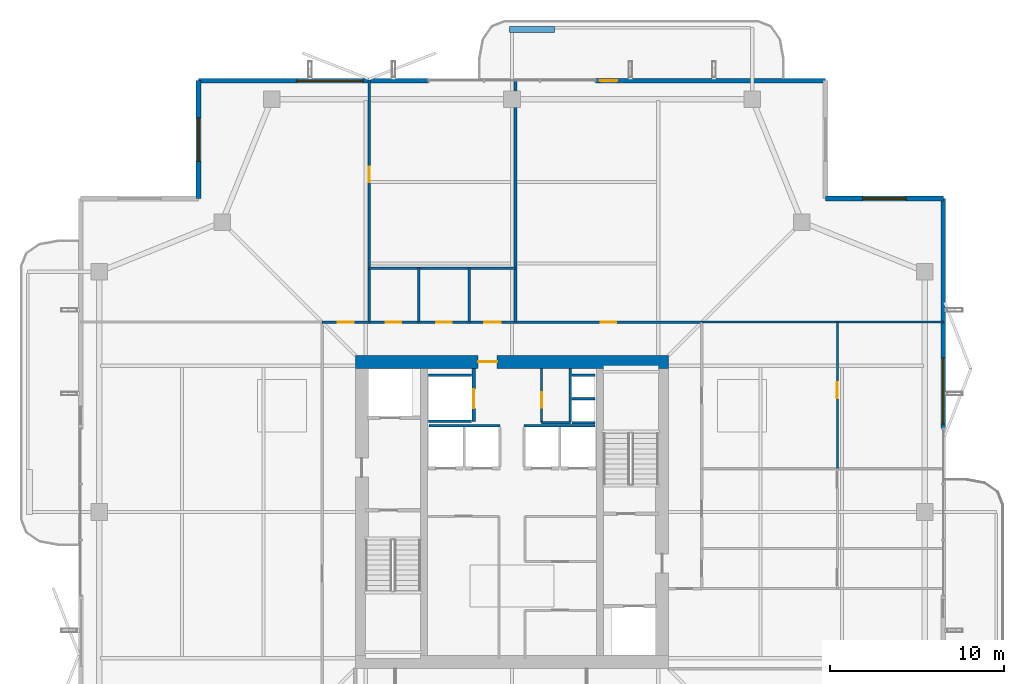
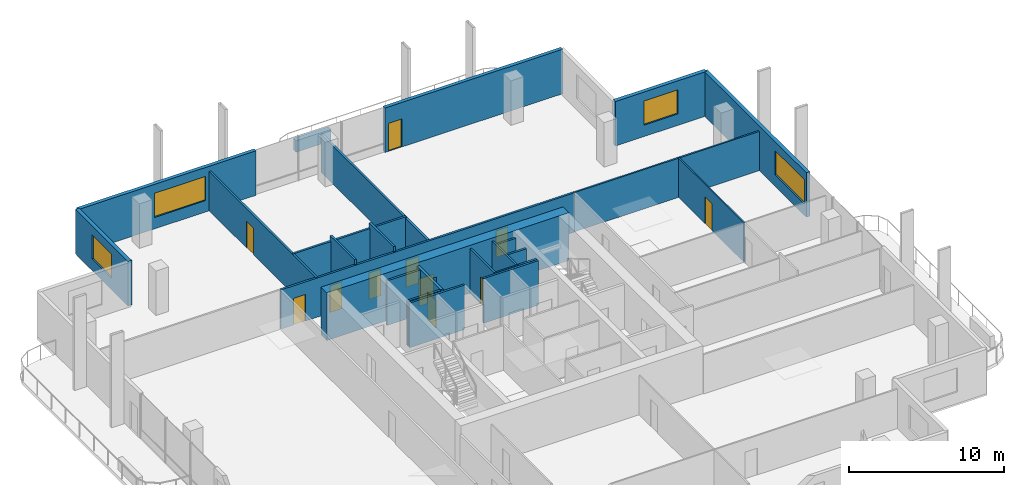
# One storey, part 20 of 25: 26 walls, 11 doors, 4 windows, 15 openings.
"""IFC4 building model written with IfcOpenShell, lengths in metres."""

import ifcopenshell
import ifcopenshell.guid

model = None  # the IFC model being written
_history = None  # IfcOwnerHistory: only IFC2X3 demands one
_inside = {}  # id of a spatial element -> (the spatial element, [elements in it])
_under = {}  # id of a project, library or spatial element -> (it, [spatial elements below it])
_declared = {}  # id of a project -> (the project, [libraries it declares])
_typed = {}  # id of a type object -> (the type object, [elements of that type])
_made_of = {}  # id of a material, layer set ... -> (it, [elements and type objects made of it])


def new_model(schema):
    """Start an empty IFC model of exactly this schema.

    Asked for "IFC4X3", IfcOpenShell would pick the latest addendum, in which some entities
    have other attributes; the version numbers below select the first issue.
    IFC2X3 requires an IfcOwnerHistory on every rooted entity: one is made here for all.
    """
    global model, _history
    if schema == "IFC4X3":
        model = ifcopenshell.file(schema_version=(4, 3, 0, 0))
    else:
        model = ifcopenshell.file(schema=schema)
    _inside.clear()
    _under.clear()
    _declared.clear()
    _typed.clear()
    _made_of.clear()
    _history = None
    if model.schema == "IFC2X3":
        org = make("IfcOrganization", Name="unknown")
        user = make(
            "IfcPersonAndOrganization",
            ThePerson=make("IfcPerson", FamilyName="unknown"),
            TheOrganization=org,
        )
        app = make(
            "IfcApplication",
            ApplicationDeveloper=org,
            Version="unknown",
            ApplicationFullName="unknown",
            ApplicationIdentifier="unknown",
        )
        _history = make(
            "IfcOwnerHistory",
            OwningUser=user,
            OwningApplication=app,
            ChangeAction="ADDED",
            CreationDate=0,
        )
    return model


def make(cls, **values):
    """One entity of the class cls with the attributes given. An attribute that is None is left unset."""
    return model.create_entity(
        cls, **{name: value for name, value in values.items() if value is not None}
    )


def rooted(cls, **values):
    """An entity with a GlobalId (a new one), such as an element, a storey or a relation."""
    return make(cls, GlobalId=ifcopenshell.guid.new(), OwnerHistory=_history, **values)


def si_unit(unit_type, name, prefix=None):
    """IfcSIUnit, for example si_unit("LENGTHUNIT", "METRE", prefix="MILLI")."""
    return make("IfcSIUnit", UnitType=unit_type, Prefix=prefix, Name=name)


def assignment(units):
    """IfcUnitAssignment: the units of a project."""
    return None if units is None else make("IfcUnitAssignment", Units=units)


def point(xyz):
    """IfcCartesianPoint."""
    return None if xyz is None else make("IfcCartesianPoint", Coordinates=xyz)


def direction(xyz):
    """IfcDirection."""
    return None if xyz is None else make("IfcDirection", DirectionRatios=xyz)


def frame(location, z_axis=None, x_axis=None):
    """IfcAxis2Placement3D, a coordinate frame: its origin and axes. An axis left out is left unset."""
    return make(
        "IfcAxis2Placement3D",
        Location=point(location),
        Axis=direction(z_axis),
        RefDirection=direction(x_axis),
    )


def frame_2d(location, x_axis=None):
    """IfcAxis2Placement2D, a coordinate frame in the plane: its origin and x axis."""
    return make(
        "IfcAxis2Placement2D", Location=point(location), RefDirection=direction(x_axis)
    )


def origin():
    """The frame at (0, 0, 0) with its axes left unset."""
    return frame((0.0, 0.0, 0.0))


def place(relative_to, where):
    """IfcLocalPlacement: puts the frame where relative to a parent placement (None: the world)."""
    return make(
        "IfcLocalPlacement", PlacementRelTo=relative_to, RelativePlacement=where
    )


def context(
    kind, dimensions, precision=None, world=None, true_north=None, identifier=None
):
    """IfcGeometricRepresentationContext, for example the 3D "Model" context."""
    return make(
        "IfcGeometricRepresentationContext",
        ContextIdentifier=identifier,
        ContextType=kind,
        CoordinateSpaceDimension=dimensions,
        Precision=precision,
        WorldCoordinateSystem=world,
        TrueNorth=true_north,
    )


def subcontext(parent, identifier, kind, view, scale=None):
    """IfcGeometricRepresentationSubContext, for example "Body" below "Model"."""
    return make(
        "IfcGeometricRepresentationSubContext",
        ContextIdentifier=identifier,
        ContextType=kind,
        ParentContext=parent,
        TargetScale=scale,
        TargetView=view,
    )


def project(units=None, contexts=None):
    """IfcProject with its units and contexts."""
    return rooted(
        "IfcProject",
        Name="project",
        RepresentationContexts=contexts,
        UnitsInContext=assignment(units),
    )


def spatial(cls, under=None, at=None, **own):
    """A site, building, storey or space (cls), placed at a placement, below another one or the project."""
    s = rooted(cls, ObjectPlacement=at, **own)
    if under is not None:
        _under.setdefault(under.id(), (under, []))[1].append(s)
    return s


def profile(cls, at=None, kind="AREA", **sizes):
    """A parametric profile (cls). Its sizes go by their IFC names, for example OverallWidth=200.0."""
    return make(cls, ProfileType=kind, Position=at, **sizes)


def rectangle(**sizes):
    """IfcRectangleProfileDef."""
    return profile("IfcRectangleProfileDef", **sizes)


def extrude(swept, where, along, depth):
    """IfcExtrudedAreaSolid: the profile swept, set in the frame where, extruded along a direction by depth."""
    return make(
        "IfcExtrudedAreaSolid",
        SweptArea=swept,
        Position=where,
        ExtrudedDirection=direction(along),
        Depth=depth,
    )


def shape(context_of_items, identifier, shape_type, items):
    """IfcShapeRepresentation: the items that make up one representation, for example the "Body"."""
    return make(
        "IfcShapeRepresentation",
        ContextOfItems=context_of_items,
        RepresentationIdentifier=identifier,
        RepresentationType=shape_type,
        Items=items,
    )


def material(Name=None, Category=None):
    """IfcMaterial."""
    return make("IfcMaterial", Name=Name, Category=Category)


def layer(
    of_material, thickness, ventilated=None, Name=None, Category=None, Priority=None
):
    """IfcMaterialLayer: one layer of a wall or slab, of a material (None: an air gap)."""
    return make(
        "IfcMaterialLayer",
        Material=of_material,
        LayerThickness=thickness,
        IsVentilated=ventilated,
        Name=Name,
        Category=Category,
        Priority=Priority,
    )


def layer_set(layers, Name=None):
    """IfcMaterialLayerSet."""
    return make("IfcMaterialLayerSet", MaterialLayers=layers, LayerSetName=Name)


def made_of(thing, what):
    """Note that an element or type object is made of a material, layer set ...; save() writes the relation."""
    if what is not None:
        _made_of.setdefault(what.id(), (what, []))[1].append(thing)
    return thing


def type_object(cls, material=None, **own):
    """A type object (cls), such as IfcWallType, which elements share."""
    return made_of(rooted(cls, **own), material)


def element(
    cls,
    number,
    at=None,
    inside=None,
    cuts=None,
    type_object=None,
    material=None,
    context=None,
    identifier="Body",
    shape_type=None,
    held_by="IfcProductDefinitionShape",
    body=None,
    shapes=None,
    **own,
):
    """One element of the class cls, such as IfcWall. Its Tag is "e" and its number.

    at: its placement. inside: the storey or other place that contains it. cuts: it is an
    opening in that element (IfcRelVoidsElement). A single representation is given by context,
    identifier, shape_type and body (its items); several are given by shapes. held_by: the class
    of the entity that holds the representations. save() writes the other relations.
    """
    e = rooted(cls, Tag="e%d" % number, ObjectPlacement=at, **own)
    if body is not None:
        shapes = [shape(context, identifier, shape_type, body)]
    if shapes is not None:
        e.Representation = make(held_by, Representations=shapes)
    if inside is not None:
        _inside.setdefault(inside.id(), (inside, []))[1].append(e)
    if cuts is not None:
        rooted(
            "IfcRelVoidsElement", RelatingBuildingElement=cuts, RelatedOpeningElement=e
        )
    if type_object is not None:
        _typed.setdefault(type_object.id(), (type_object, []))[1].append(e)
    return made_of(e, material)


def fill(opening, filler):
    """IfcRelFillsElement: the door or window that sits in an opening."""
    return rooted(
        "IfcRelFillsElement",
        RelatingOpeningElement=opening,
        RelatedBuildingElement=filler,
    )


def aggregate(whole, parts):
    """IfcRelAggregates: a whole, such as a stair, and the parts it consists of."""
    return rooted("IfcRelAggregates", RelatingObject=whole, RelatedObjects=parts)


def save(model, path):
    """Write the relations noted so far, then the file.

    IfcRelAggregates (storeys below a building ...), IfcRelContainedInSpatialStructure (elements
    in a storey), IfcRelDefinesByType, IfcRelAssociatesMaterial and IfcRelDeclares: one each for
    every whole, place, type object, material and project.
    """
    for whole, parts in _under.values():
        aggregate(whole, parts)
    for where, things in _inside.values():
        rooted(
            "IfcRelContainedInSpatialStructure",
            RelatedElements=things,
            RelatingStructure=where,
        )
    for kind, things in _typed.values():
        rooted("IfcRelDefinesByType", RelatedObjects=things, RelatingType=kind)
    for what, things in _made_of.values():
        rooted("IfcRelAssociatesMaterial", RelatedObjects=things, RelatingMaterial=what)
    for by, libraries in _declared.values():
        rooted("IfcRelDeclares", RelatingContext=by, RelatedDefinitions=libraries)
    model.write(path)


model = new_model("IFC4")

# Units and contexts
model_context = context("Model", 3, precision=1e-05, world=origin(), true_north=direction((0.0, 1.0)))
body_context = subcontext(model_context, "Body", "Model", "MODEL_VIEW")
ifc_project = project(units=[si_unit("LENGTHUNIT", "METRE"), si_unit("AREAUNIT", "SQUARE_METRE"), si_unit("VOLUMEUNIT", "CUBIC_METRE"), si_unit("PLANEANGLEUNIT", "RADIAN"), si_unit("MASSUNIT", "GRAM", prefix="KILO")], contexts=[model_context])

# Site, building, storey
site_placement = place(None, origin())
site = spatial("IfcSite", under=ifc_project, at=site_placement, CompositionType="ELEMENT")
building_placement = place(site_placement, origin())
building = spatial("IfcBuilding", under=site, at=building_placement, Name="Belovzor Exchange Tower", CompositionType="ELEMENT")
storey_placement = place(building_placement, frame((0.0, 0.0, 265.35009765625)))
storey = spatial("IfcBuildingStorey", under=building, at=storey_placement, Name="L66", CompositionType="ELEMENT", Elevation=265.35009765625)

# Wall
ifc_material_1 = material(Name="Acoustic Plasterboard on Galvanised Studs", Category="gypsum")
ifc_layer_1 = layer(ifc_material_1, 0.1201171875)
ifc_layer_set_1 = layer_set([ifc_layer_1], Name="Acoustic Plasterboard on Galvanised Studs")
wall_type_1 = type_object("IfcWallType", Name="Acoustic Double-Stud Partition Wall 120", PredefinedType="PARTITIONING", material=ifc_layer_set_1)
wall_1_placement = place(storey_placement, frame((39.699951171875, 39.699951171875, 0.0), z_axis=(0.0, 0.0, 1.0), x_axis=(1.0, 0.0, 0.0)))
element("IfcWall", 1, at=wall_1_placement, inside=storey, type_object=wall_type_1, Name="W-P120 Partition Wall W-L66-END-NE", PredefinedType="PARTITIONING", context=body_context, shape_type="SweptSolid", body=[
    extrude(rectangle(XDim=13.8701171875, YDim=0.1201171875, at=frame_2d((6.93505859375, 0.0))), origin(), (0.0, 0.0, 1.0), 3.0849609375),
])

# Wall, opening, door
ifc_material_2 = material(Name="Acoustic Laminated Glass and Aluminium", Category="aluminium")
ifc_layer_2 = layer(ifc_material_2, 0.10009765625)
ifc_layer_set_2 = layer_set([ifc_layer_2], Name="Acoustic Laminated Glass and Aluminium")
wall_type_2 = type_object("IfcWallType", Name="Demountable Executive Glass Partition 100", PredefinedType="MOVABLE", material=ifc_layer_set_2)
wall_2_placement = place(storey_placement, frame((47.485107421875, 31.281982421875, 0.0), z_axis=(0.0, 0.0, 1.0), x_axis=(0.0, 1.0, 0.0)))
wall_2 = element("IfcWall", 2, at=wall_2_placement, inside=storey, type_object=wall_type_2, Name="W-M100 Partition Wall W-L66-EHDIV-2", PredefinedType="MOVABLE", context=body_context, shape_type="SweptSolid", body=[
    extrude(rectangle(XDim=8.41796875, YDim=0.10009765625, at=frame_2d((4.208984375, 0.0))), origin(), (0.0, 0.0, 1.0), 3.0849609375),
])
opening_1_placement = place(wall_2_placement, frame((4.055908203125, 0.0, 0.0)))
opening_1 = element("IfcOpeningElement", 3, at=opening_1_placement, cuts=wall_2, Name="Opening D-INT-090", PredefinedType="OPENING", context=body_context, shape_type="SweptSolid", body=[
    extrude(rectangle(XDim=0.89990234375, YDim=2.10009765625, at=frame_2d((0.449951171875, 1.050048828125))), frame((0.0, 0.06005859375, 0.0), z_axis=(0.0, -1.0, 0.0), x_axis=(1.0, 0.0, 0.0)), (0.0, 0.0, 1.0), 0.1201171875),
])
ifc_material_3 = material(Name="Veneered Hardwood Acoustic Leaf", Category="wood")
door_type_1 = type_object("IfcDoorType", Name="Trading Suite Acoustic Single Door 900x2100", OperationType="NOTDEFINED", PredefinedType="DOOR", material=ifc_material_3)
door_1_placement = place(opening_1_placement, origin())
door_1 = element("IfcDoor", 4, at=door_1_placement, inside=storey, type_object=door_type_1, Name="D-INT-090 Trading Suite Acoustic Single Door 900x2100", OperationType="SINGLE_SWING_RIGHT", OverallHeight=2.10009765625, OverallWidth=0.89990234375, PredefinedType="DOOR", context=body_context, shape_type="SweptSolid", body=[
    extrude(rectangle(XDim=0.89990234375, YDim=2.10009765625, at=frame_2d((0.449951171875, 1.050048828125))), frame((0.0, 0.02490234375, 0.0), z_axis=(0.0, -1.0, 0.0), x_axis=(1.0, 0.0, 0.0)), (0.0, 0.0, 1.0), 0.050048828125),
])
fill(opening_1, door_1)

ifc_material_4 = material(Name="Fire-Rated Plasterboard on Galvanised Studs", Category="gypsum")
ifc_layer_3 = layer(ifc_material_4, 0.1201171875)
ifc_layer_set_3 = layer_set([ifc_layer_3], Name="Fire-Rated Plasterboard on Galvanised Studs")
wall_type_3 = type_object("IfcWallType", Name="Fire-Rated Double-Stud Partition Wall 120", PredefinedType="PARTITIONING", material=ifc_layer_set_3)
wall_3_placement = place(storey_placement, frame((30.5, 33.925048828125, 0.0), z_axis=(0.0, 0.0, 1.0), x_axis=(0.0, 1.0, 0.0)))
wall_3 = element("IfcWall", 5, at=wall_3_placement, inside=storey, type_object=wall_type_3, Name="W-P120F Partition Wall W-CRV-L66-W", PredefinedType="PARTITIONING", context=body_context, shape_type="SweptSolid", body=[
    extrude(rectangle(XDim=3.125, YDim=0.1201171875, at=frame_2d((1.5625, 0.0))), origin(), (0.0, 0.0, 1.0), 3.5),
])
opening_2_placement = place(wall_3_placement, frame((0.85009765625, 0.0, 0.0)))
opening_2 = element("IfcOpeningElement", 6, at=opening_2_placement, cuts=wall_3, Name="Opening D-FD60-090", PredefinedType="OPENING", context=body_context, shape_type="SweptSolid", body=[
    extrude(rectangle(XDim=0.89990234375, YDim=2.10009765625, at=frame_2d((0.449951171875, 1.050048828125))), frame((0.0, 0.070068359375, 0.0), z_axis=(0.0, -1.0, 0.0), x_axis=(1.0, 0.0, 0.0)), (0.0, 0.0, 1.0), 0.14013671875),
])
ifc_material_5 = material(Name="Acoustic Timber Fire Leaf", Category="wood")
door_type_2 = type_object("IfcDoorType", Name="Core Service & Restroom Fire Door 900x2100", OperationType="NOTDEFINED", PredefinedType="DOOR", material=ifc_material_5)
door_2_placement = place(opening_2_placement, origin())
door_2 = element("IfcDoor", 7, at=door_2_placement, inside=storey, type_object=door_type_2, Name="D-FD60-090 Core Service & Restroom Fire Door 900x2100", OperationType="SINGLE_SWING_LEFT", OverallHeight=2.10009765625, OverallWidth=0.89990234375, PredefinedType="DOOR", context=body_context, shape_type="SweptSolid", body=[
    extrude(rectangle(XDim=0.89990234375, YDim=2.10009765625, at=frame_2d((0.449951171875, 1.050048828125))), frame((0.0, 0.02490234375, 0.0), z_axis=(0.0, -1.0, 0.0), x_axis=(1.0, 0.0, 0.0)), (0.0, 0.0, 1.0), 0.050048828125),
])
fill(opening_2, door_2)

# Walls
wall_4_placement = place(storey_placement, frame((30.5, 33.925048828125, 0.0), z_axis=(0.0, 0.0, 1.0), x_axis=(1.0, 0.0, 0.0)))
element("IfcWall", 8, at=wall_4_placement, inside=storey, type_object=wall_type_3, Name="W-P120F Partition Wall W-CRV-L66-S", PredefinedType="PARTITIONING", context=body_context, shape_type="SweptSolid", body=[
    extrude(rectangle(XDim=1.64990234375, YDim=0.1201171875, at=frame_2d((0.824951171875, 0.0))), origin(), (0.0, 0.0, 1.0), 3.5),
])
ifc_material_6 = material(Name="Fire-Rated Gypsum Block and Mineral Wool", Category="gypsum")
ifc_layer_4 = layer(ifc_material_6, 0.14990234375)
ifc_layer_set_4 = layer_set([ifc_layer_4], Name="Fire-Rated Gypsum Block and Mineral Wool")
wall_type_4 = type_object("IfcWallType", Name="Fire-Rated Gypsum Block Corridor Wall 150", PredefinedType="PARTITIONING", material=ifc_layer_set_4)
wall_5_placement = place(storey_placement, frame((20.60009765625, 42.800048828125, 0.0), z_axis=(0.0, 0.0, 1.0), x_axis=(1.0, 0.0, 0.0)))
element("IfcWall", 9, at=wall_5_placement, inside=storey, type_object=wall_type_4, Name="W-P150 Partition Wall W-L66-WCN", PredefinedType="PARTITIONING", context=body_context, shape_type="SweptSolid", body=[
    extrude(rectangle(XDim=8.39990234375, YDim=0.14990234375, at=frame_2d((4.199951171875, 0.0))), origin(), (0.0, 0.0, 1.0), 3.0849609375),
])

# Wall, opening, door
wall_6_placement = place(storey_placement, frame((20.60009765625, 39.699951171875, 0.0), z_axis=(0.0, 0.0, 1.0), x_axis=(0.0, 1.0, 0.0)))
wall_6 = element("IfcWall", 10, at=wall_6_placement, inside=storey, type_object=wall_type_4, Name="W-P150 Partition Wall W-L66-WCW", PredefinedType="PARTITIONING", context=body_context, shape_type="SweptSolid", body=[
    extrude(rectangle(XDim=13.8701171875, YDim=0.14990234375, at=frame_2d((6.93505859375, 0.0))), origin(), (0.0, 0.0, 1.0), 3.0849609375),
])
opening_3_placement = place(wall_6_placement, frame((8.034912109375, 0.0, 0.0)))
opening_3 = element("IfcOpeningElement", 11, at=opening_3_placement, cuts=wall_6, Name="Opening D-INT-090", PredefinedType="OPENING", context=body_context, shape_type="SweptSolid", body=[
    extrude(rectangle(XDim=0.89990234375, YDim=2.10009765625, at=frame_2d((0.449951171875, 1.050048828125))), frame((0.0, 0.0849609375, 0.0), z_axis=(0.0, -1.0, 0.0), x_axis=(1.0, 0.0, 0.0)), (0.0, 0.0, 1.0), 0.169921875),
])
door_3_placement = place(opening_3_placement, origin())
door_3 = element("IfcDoor", 12, at=door_3_placement, inside=storey, type_object=door_type_1, Name="D-INT-090 Trading Suite Acoustic Single Door 900x2100", OperationType="SINGLE_SWING_LEFT", OverallHeight=2.10009765625, OverallWidth=0.89990234375, PredefinedType="DOOR", context=body_context, shape_type="SweptSolid", body=[
    extrude(rectangle(XDim=0.89990234375, YDim=2.10009765625, at=frame_2d((0.449951171875, 1.050048828125))), frame((0.0, 0.02490234375, 0.0), z_axis=(0.0, -1.0, 0.0), x_axis=(1.0, 0.0, 0.0)), (0.0, 0.0, 1.0), 0.050048828125),
])
fill(opening_3, door_3)

# Walls
wall_7_placement = place(storey_placement, frame((29.0, 39.699951171875, 0.0), z_axis=(0.0, 0.0, 1.0), x_axis=(0.0, 1.0, 0.0)))
element("IfcWall", 13, at=wall_7_placement, inside=storey, type_object=wall_type_4, Name="W-P150 Partition Wall W-L66-WCE", PredefinedType="PARTITIONING", context=body_context, shape_type="SweptSolid", body=[
    extrude(rectangle(XDim=13.8701171875, YDim=0.14990234375, at=frame_2d((6.93505859375, 0.0))), origin(), (0.0, 0.0, 1.0), 2.98486328125),
])
for number, where, z_axis, x_axis, name in (
    (14, (23.449951171875, 39.699951171875, 0.0), (0.0, 0.0, 1.0), (0.0, 1.0, 0.0), "W-P150 Partition Wall W-L66-WCD1"),
    (15, (26.35009765625, 39.699951171875, 0.0), (0.0, 0.0, 1.0), (0.0, 1.0, 0.0), "W-P150 Partition Wall W-L66-WCD2"),
):
    element("IfcWall", number, at=place(storey_placement, frame(where, z_axis=z_axis, x_axis=x_axis)), inside=storey, type_object=wall_type_4, Name=name, PredefinedType="PARTITIONING", context=body_context, shape_type="SweptSolid", body=[
        extrude(rectangle(XDim=3.10009765625, YDim=0.14990234375, at=frame_2d((1.550048828125, 0.0))), origin(), (0.0, 0.0, 1.0), 3.5),
    ])

# Wall, openings, doors
wall_8_placement = place(storey_placement, frame((17.89990234375, 39.699951171875, 0.0), z_axis=(0.0, 0.0, 1.0), x_axis=(1.0, 0.0, 0.0)))
wall_8 = element("IfcWall", 16, at=wall_8_placement, inside=storey, type_object=wall_type_4, Name="W-P150 Partition Wall W-L66-CN", PredefinedType="PARTITIONING", context=body_context, shape_type="SweptSolid", body=[
    extrude(rectangle(XDim=21.800048828125, YDim=0.14990234375, at=frame_2d((10.89990234375, 0.0))), origin(), (0.0, 0.0, 1.0), 3.0849609375),
])
opening_4_placement = place(wall_8_placement, frame((0.89990234375, 0.0, 0.0)))
opening_4 = element("IfcOpeningElement", 17, at=opening_4_placement, cuts=wall_8, Name="Opening D-INT-090", PredefinedType="OPENING", context=body_context, shape_type="SweptSolid", body=[
    extrude(rectangle(XDim=0.89990234375, YDim=2.10009765625, at=frame_2d((0.449951171875, 1.050048828125))), frame((0.0, 0.0849609375, 0.0), z_axis=(0.0, -1.0, 0.0), x_axis=(1.0, 0.0, 0.0)), (0.0, 0.0, 1.0), 0.169921875),
])
opening_5_placement = place(wall_8_placement, frame((3.64990234375, 0.0, 0.0)))
opening_5 = element("IfcOpeningElement", 18, at=opening_5_placement, cuts=wall_8, Name="Opening D-FD60-090", PredefinedType="OPENING", context=body_context, shape_type="SweptSolid", body=[
    extrude(rectangle(XDim=0.89990234375, YDim=2.10009765625, at=frame_2d((0.449951171875, 1.050048828125))), frame((0.0, 0.0849609375, 0.0), z_axis=(0.0, -1.0, 0.0), x_axis=(1.0, 0.0, 0.0)), (0.0, 0.0, 1.0), 0.169921875),
])
opening_6_placement = place(wall_8_placement, frame((6.550048828125, 0.0, 0.0)))
opening_6 = element("IfcOpeningElement", 19, at=opening_6_placement, cuts=wall_8, Name="Opening D-FD60-090", PredefinedType="OPENING", context=body_context, shape_type="SweptSolid", body=[
    extrude(rectangle(XDim=0.89990234375, YDim=2.10009765625, at=frame_2d((0.449951171875, 1.050048828125))), frame((0.0, 0.0849609375, 0.0), z_axis=(0.0, -1.0, 0.0), x_axis=(1.0, 0.0, 0.0)), (0.0, 0.0, 1.0), 0.169921875),
])
opening_7_placement = place(wall_8_placement, frame((9.300048828125, 0.0, 0.0)))
opening_7 = element("IfcOpeningElement", 20, at=opening_7_placement, cuts=wall_8, Name="Opening D-FD60-095", PredefinedType="OPENING", context=body_context, shape_type="SweptSolid", body=[
    extrude(rectangle(XDim=0.949951171875, YDim=2.10009765625, at=frame_2d((0.47509765625, 1.050048828125))), frame((0.0, 0.0849609375, 0.0), z_axis=(0.0, -1.0, 0.0), x_axis=(1.0, 0.0, 0.0)), (0.0, 0.0, 1.0), 0.169921875),
])
opening_8_placement = place(wall_8_placement, frame((16.0, 0.0, 0.0)))
opening_8 = element("IfcOpeningElement", 21, at=opening_8_placement, cuts=wall_8, Name="Opening D-INT-090", PredefinedType="OPENING", context=body_context, shape_type="SweptSolid", body=[
    extrude(rectangle(XDim=0.89990234375, YDim=2.10009765625, at=frame_2d((0.449951171875, 1.050048828125))), frame((0.0, 0.0849609375, 0.0), z_axis=(0.0, -1.0, 0.0), x_axis=(1.0, 0.0, 0.0)), (0.0, 0.0, 1.0), 0.169921875),
])
ifc_material_7 = material(Name="Moisture-Resistant Timber Fire Leaf", Category="wood")
door_type_3 = type_object("IfcDoorType", Name="Accessible Restroom Wide Fire Door 950x2100", OperationType="NOTDEFINED", PredefinedType="DOOR", material=ifc_material_7)
door_4_placement = place(opening_7_placement, origin())
door_4 = element("IfcDoor", 22, at=door_4_placement, inside=storey, type_object=door_type_3, Name="D-FD60-095 Accessible Restroom Wide Fire Door 950x2100", OperationType="SINGLE_SWING_LEFT", OverallHeight=2.10009765625, OverallWidth=0.949951171875, PredefinedType="DOOR", context=body_context, shape_type="SweptSolid", body=[
    extrude(rectangle(XDim=0.949951171875, YDim=2.10009765625, at=frame_2d((0.47509765625, 1.050048828125))), frame((0.0, 0.02490234375, 0.0), z_axis=(0.0, -1.0, 0.0), x_axis=(1.0, 0.0, 0.0)), (0.0, 0.0, 1.0), 0.050048828125),
])
fill(opening_7, door_4)
door_5_placement = place(opening_5_placement, origin())
door_5 = element("IfcDoor", 23, at=door_5_placement, inside=storey, type_object=door_type_2, Name="D-FD60-090 Core Service & Restroom Fire Door 900x2100", OperationType="SINGLE_SWING_LEFT", OverallHeight=2.10009765625, OverallWidth=0.89990234375, PredefinedType="DOOR", context=body_context, shape_type="SweptSolid", body=[
    extrude(rectangle(XDim=0.89990234375, YDim=2.10009765625, at=frame_2d((0.449951171875, 1.050048828125))), frame((0.0, 0.02490234375, 0.0), z_axis=(0.0, -1.0, 0.0), x_axis=(1.0, 0.0, 0.0)), (0.0, 0.0, 1.0), 0.050048828125),
])
fill(opening_5, door_5)
door_6_placement = place(opening_6_placement, origin())
door_6 = element("IfcDoor", 24, at=door_6_placement, inside=storey, type_object=door_type_2, Name="D-FD60-090 Core Service & Restroom Fire Door 900x2100", OperationType="SINGLE_SWING_RIGHT", OverallHeight=2.10009765625, OverallWidth=0.89990234375, PredefinedType="DOOR", context=body_context, shape_type="SweptSolid", body=[
    extrude(rectangle(XDim=0.89990234375, YDim=2.10009765625, at=frame_2d((0.449951171875, 1.050048828125))), frame((0.0, 0.02490234375, 0.0), z_axis=(0.0, -1.0, 0.0), x_axis=(1.0, 0.0, 0.0)), (0.0, 0.0, 1.0), 0.050048828125),
])
fill(opening_6, door_6)
door_7_placement = place(opening_4_placement, origin())
door_7 = element("IfcDoor", 25, at=door_7_placement, inside=storey, type_object=door_type_1, Name="D-INT-090 Trading Suite Acoustic Single Door 900x2100", OperationType="SINGLE_SWING_LEFT", OverallHeight=2.10009765625, OverallWidth=0.89990234375, PredefinedType="DOOR", context=body_context, shape_type="SweptSolid", body=[
    extrude(rectangle(XDim=0.89990234375, YDim=2.10009765625, at=frame_2d((0.449951171875, 1.050048828125))), frame((0.0, 0.02490234375, 0.0), z_axis=(0.0, -1.0, 0.0), x_axis=(1.0, 0.0, 0.0)), (0.0, 0.0, 1.0), 0.050048828125),
])
fill(opening_4, door_7)
door_8_placement = place(opening_8_placement, origin())
door_8 = element("IfcDoor", 26, at=door_8_placement, inside=storey, type_object=door_type_1, Name="D-INT-090 Trading Suite Acoustic Single Door 900x2100", OperationType="SINGLE_SWING_RIGHT", OverallHeight=2.10009765625, OverallWidth=0.89990234375, PredefinedType="DOOR", context=body_context, shape_type="SweptSolid", body=[
    extrude(rectangle(XDim=0.89990234375, YDim=2.10009765625, at=frame_2d((0.449951171875, 1.050048828125))), frame((0.0, 0.02490234375, 0.0), z_axis=(0.0, -1.0, 0.0), x_axis=(1.0, 0.0, 0.0)), (0.0, 0.0, 1.0), 0.050048828125),
])
fill(opening_8, door_8)

# Wall, opening, window
ifc_material_8 = material(Name="Precast concrete C40/50", Category="concrete")
ifc_layer_5 = layer(ifc_material_8, 0.280029296875)
ifc_layer_set_5 = layer_set([ifc_layer_5], Name="Precast concrete C40/50")
wall_type_5 = type_object("IfcWallType", Name="Precast Concrete Notched Corner Frame Wall 280", PredefinedType="SOLIDWALL", material=ifc_layer_set_5)
wall_9_placement = place(storey_placement, frame((10.800048828125, 46.800048828125, 0.0), z_axis=(0.0, 0.0, 1.0), x_axis=(0.0, 1.0, 0.0)))
wall_9 = element("IfcWall", 27, at=wall_9_placement, inside=storey, type_object=wall_type_5, Name="W-CRN280 Precast Concrete Notched Corner Frame Wall 280 L66", PredefinedType="SOLIDWALL", context=body_context, shape_type="SweptSolid", body=[
    extrude(rectangle(XDim=6.77001953125, YDim=0.280029296875, at=frame_2d((3.385009765625, 0.0))), origin(), (0.0, 0.0, 1.0), 3.5),
])
opening_9_placement = place(wall_9_placement, frame((2.135009765625, 0.0, 0.89990234375)))
opening_9 = element("IfcOpeningElement", 28, at=opening_9_placement, cuts=wall_9, Name="Opening WN-CRN250", PredefinedType="OPENING", context=body_context, shape_type="SweptSolid", body=[
    extrude(rectangle(XDim=2.5, YDim=1.89990234375, at=frame_2d((1.25, 0.949951171875))), frame((0.0, 0.14990234375, 0.0), z_axis=(0.0, -1.0, 0.0), x_axis=(1.0, 0.0, 0.0)), (0.0, 0.0, 1.0), 0.300048828125),
])
ifc_material_9 = material(Name="Thermally Broken Aluminium and Triple Glazing", Category="aluminium")
window_type_1 = type_object("IfcWindowType", Name="Streamline Moderne Corner Wrap Ribbon Window 2500x1900", PartitioningType="SINGLE_PANEL", PredefinedType="WINDOW", material=ifc_material_9)
window_1_placement = place(opening_9_placement, origin())
window_1 = element("IfcWindow", 29, at=window_1_placement, inside=storey, type_object=window_type_1, Name="WN-CRN250 Streamline Moderne Corner Wrap Ribbon Window 2500x1900", OverallHeight=1.89990234375, OverallWidth=2.5, PartitioningType="SINGLE_PANEL", PredefinedType="WINDOW", context=body_context, shape_type="SweptSolid", body=[
    extrude(rectangle(XDim=2.5, YDim=1.89990234375, at=frame_2d((1.25, 0.949951171875))), frame((0.0, 0.030029296875, 0.0), z_axis=(0.0, -1.0, 0.0), x_axis=(1.0, 0.0, 0.0)), (0.0, 0.0, 1.0), 0.06005859375),
])
fill(opening_9, window_1)

wall_10_placement = place(storey_placement, frame((46.800048828125, 46.800048828125, 0.0), z_axis=(0.0, 0.0, 1.0), x_axis=(1.0, 0.0, 0.0)))
wall_10 = element("IfcWall", 30, at=wall_10_placement, inside=storey, type_object=wall_type_5, Name="W-CRN280 Precast Concrete Notched Corner Frame Wall 280 L66", PredefinedType="SOLIDWALL", context=body_context, shape_type="SweptSolid", body=[
    extrude(rectangle(XDim=6.77001953125, YDim=0.280029296875, at=frame_2d((3.385009765625, 0.0))), origin(), (0.0, 0.0, 1.0), 3.5),
])
opening_10_placement = place(wall_10_placement, frame((2.135009765625, 0.0, 0.89990234375)))
opening_10 = element("IfcOpeningElement", 31, at=opening_10_placement, cuts=wall_10, Name="Opening WN-CRN250", PredefinedType="OPENING", context=body_context, shape_type="SweptSolid", body=[
    extrude(rectangle(XDim=2.5, YDim=1.89990234375, at=frame_2d((1.25, 0.949951171875))), frame((0.0, 0.14990234375, 0.0), z_axis=(0.0, -1.0, 0.0), x_axis=(1.0, 0.0, 0.0)), (0.0, 0.0, 1.0), 0.300048828125),
])
window_2_placement = place(opening_10_placement, origin())
window_2 = element("IfcWindow", 32, at=window_2_placement, inside=storey, type_object=window_type_1, Name="WN-CRN250 Streamline Moderne Corner Wrap Ribbon Window 2500x1900", OverallHeight=1.89990234375, OverallWidth=2.5, PartitioningType="SINGLE_PANEL", PredefinedType="WINDOW", context=body_context, shape_type="SweptSolid", body=[
    extrude(rectangle(XDim=2.5, YDim=1.89990234375, at=frame_2d((1.25, 0.949951171875))), frame((0.0, 0.030029296875, 0.0), z_axis=(0.0, -1.0, 0.0), x_axis=(1.0, 0.0, 0.0)), (0.0, 0.0, 1.0), 0.06005859375),
])
fill(opening_10, window_2)

ifc_material_10 = material(Name="Precast concrete C40/50", Category="concrete")
ifc_layer_6 = layer(ifc_material_10, 0.260009765625)
ifc_layer_set_6 = layer_set([ifc_layer_6], Name="Precast concrete C40/50")
wall_type_6 = type_object("IfcWallType", Name="Precast Concrete Perimeter Loggia Frame Wall 260", PredefinedType="SOLIDWALL", material=ifc_layer_set_6)
wall_11_placement = place(storey_placement, frame((10.800048828125, 53.570068359375, 0.0), z_axis=(0.0, 0.0, 1.0), x_axis=(1.0, 0.0, 0.0)))
wall_11 = element("IfcWall", 33, at=wall_11_placement, inside=storey, type_object=wall_type_6, Name="W-EXT260 Precast Concrete Perimeter Loggia Frame Wall 260 L66", PredefinedType="SOLIDWALL", context=body_context, shape_type="SweptSolid", body=[
    extrude(rectangle(XDim=13.199951171875, YDim=0.260009765625, at=frame_2d((6.60009765625, 0.0))), origin(), (0.0, 0.0, 1.0), 3.5),
])
opening_11_placement = place(wall_11_placement, frame((5.654052734375, 0.0, 0.89990234375)))
opening_11 = element("IfcOpeningElement", 34, at=opening_11_placement, cuts=wall_11, Name="Opening WN-RIB380", PredefinedType="OPENING", context=body_context, shape_type="SweptSolid", body=[
    extrude(rectangle(XDim=3.800048828125, YDim=1.89990234375, at=frame_2d((1.89990234375, 0.949951171875))), frame((0.0, 0.139892578125, 0.0), z_axis=(0.0, -1.0, 0.0), x_axis=(1.0, 0.0, 0.0)), (0.0, 0.0, 1.0), 0.280029296875),
])
ifc_material_11 = material(Name="Thermally Broken Aluminium and Triple Glazing", Category="aluminium")
window_type_2 = type_object("IfcWindowType", Name="Streamline Moderne Horizontal Ribbon Window 3800x1900", PartitioningType="SINGLE_PANEL", PredefinedType="WINDOW", material=ifc_material_11)
window_3_placement = place(opening_11_placement, origin())
window_3 = element("IfcWindow", 35, at=window_3_placement, inside=storey, type_object=window_type_2, Name="WN-RIB380 Streamline Moderne Horizontal Ribbon Window 3800x1900", OverallHeight=1.89990234375, OverallWidth=3.800048828125, PartitioningType="SINGLE_PANEL", PredefinedType="WINDOW", context=body_context, shape_type="SweptSolid", body=[
    extrude(rectangle(XDim=3.800048828125, YDim=1.89990234375, at=frame_2d((1.89990234375, 0.949951171875))), frame((0.0, 0.030029296875, 0.0), z_axis=(0.0, -1.0, 0.0), x_axis=(1.0, 0.0, 0.0)), (0.0, 0.0, 1.0), 0.06005859375),
])
fill(opening_11, window_3)

# Wall, opening, door
wall_12_placement = place(storey_placement, frame((33.60009765625, 53.570068359375, 0.0), z_axis=(0.0, 0.0, 1.0), x_axis=(1.0, 0.0, 0.0)))
wall_12 = element("IfcWall", 36, at=wall_12_placement, inside=storey, type_object=wall_type_6, Name="W-EXT260 Precast Concrete Perimeter Loggia Frame Wall 260 L66", PredefinedType="SOLIDWALL", context=body_context, shape_type="SweptSolid", body=[
    extrude(rectangle(XDim=13.199951171875, YDim=0.260009765625, at=frame_2d((6.60009765625, 0.0))), origin(), (0.0, 0.0, 1.0), 3.5),
])
opening_12_placement = place(wall_12_placement, frame((0.25, 0.0, 0.0)))
opening_12 = element("IfcOpeningElement", 37, at=opening_12_placement, cuts=wall_12, Name="Opening D-BAL100", PredefinedType="OPENING", context=body_context, shape_type="SweptSolid", body=[
    extrude(rectangle(XDim=1.0, YDim=2.199951171875, at=frame_2d((0.5, 1.10009765625))), frame((0.0, 0.139892578125, 0.0), z_axis=(0.0, -1.0, 0.0), x_axis=(1.0, 0.0, 0.0)), (0.0, 0.0, 1.0), 0.280029296875),
])
ifc_material_12 = material(Name="Thermally Broken Anodised Aluminium and Laminated Glass", Category="aluminium")
door_type_4 = type_object("IfcDoorType", Name="Planted Loggia Terrace Glazed Door 1000x2200", OperationType="SINGLE_SWING_LEFT", PredefinedType="DOOR", material=ifc_material_12)
door_9_placement = place(opening_12_placement, origin())
door_9 = element("IfcDoor", 38, at=door_9_placement, inside=storey, type_object=door_type_4, Name="D-BAL100 Balcony Terrace Door L66 N", OperationType="SINGLE_SWING_RIGHT", OverallHeight=2.199951171875, OverallWidth=1.0, PredefinedType="DOOR", context=body_context, shape_type="SweptSolid", body=[
    extrude(rectangle(XDim=1.0, YDim=2.199951171875, at=frame_2d((0.5, 1.10009765625))), frame((0.0, 0.02490234375, 0.0), z_axis=(0.0, -1.0, 0.0), x_axis=(1.0, 0.0, 0.0)), (0.0, 0.0, 1.0), 0.050048828125),
])
fill(opening_12, door_9)

# Wall, opening, window
wall_13_placement = place(storey_placement, frame((53.570068359375, 46.800048828125, 0.0), z_axis=(0.0, 0.0, 1.0), x_axis=(0.0, -1.0, 0.0)))
wall_13 = element("IfcWall", 39, at=wall_13_placement, inside=storey, type_object=wall_type_6, Name="W-EXT260 Precast Concrete Perimeter Loggia Frame Wall 260 L66", PredefinedType="SOLIDWALL", context=body_context, shape_type="SweptSolid", body=[
    extrude(rectangle(XDim=13.199951171875, YDim=0.260009765625, at=frame_2d((6.60009765625, 0.0))), origin(), (0.0, 0.0, 1.0), 3.5),
])
opening_13_placement = place(wall_13_placement, frame((9.14990234375, 0.0, 0.89990234375)))
opening_13 = element("IfcOpeningElement", 40, at=opening_13_placement, cuts=wall_13, Name="Opening WN-RIB380", PredefinedType="OPENING", context=body_context, shape_type="SweptSolid", body=[
    extrude(rectangle(XDim=3.800048828125, YDim=1.89990234375, at=frame_2d((1.89990234375, 0.949951171875))), frame((0.0, 0.139892578125, 0.0), z_axis=(0.0, -1.0, 0.0), x_axis=(1.0, 0.0, 0.0)), (0.0, 0.0, 1.0), 0.280029296875),
])
window_4_placement = place(opening_13_placement, origin())
window_4 = element("IfcWindow", 41, at=window_4_placement, inside=storey, type_object=window_type_2, Name="WN-RIB380 Streamline Moderne Horizontal Ribbon Window 3800x1900", OverallHeight=1.89990234375, OverallWidth=3.800048828125, PartitioningType="SINGLE_PANEL", PredefinedType="WINDOW", context=body_context, shape_type="SweptSolid", body=[
    extrude(rectangle(XDim=3.800048828125, YDim=1.89990234375, at=frame_2d((1.89990234375, 0.949951171875))), frame((0.0, 0.030029296875, 0.0), z_axis=(0.0, -1.0, 0.0), x_axis=(1.0, 0.0, 0.0)), (0.0, 0.0, 1.0), 0.06005859375),
])
fill(opening_13, window_4)

# Walls
ifc_material_13 = material(Name="Precast concrete C40/50", Category="concrete")
ifc_layer_7 = layer(ifc_material_13, 0.35009765625)
ifc_layer_set_7 = layer_set([ifc_layer_7], Name="Precast concrete C40/50")
wall_type_7 = type_object("IfcWallType", Name="Precast Concrete Structural Tree Planter Trough 350", PredefinedType="PARAPET", material=ifc_layer_set_7)
wall_14_placement = place(storey_placement, frame((28.64990234375, 56.5, 0.0), z_axis=(0.0, 0.0, 1.0), x_axis=(1.0, 0.0, 0.0)))
element("IfcWall", 42, at=wall_14_placement, inside=storey, type_object=wall_type_7, Name="PT-350 Precast Concrete Structural Tree Planter Trough 350 L66", PredefinedType="PARAPET", context=body_context, shape_type="SweptSolid", body=[
    extrude(rectangle(XDim=2.60009765625, YDim=0.35009765625, at=frame_2d((1.300048828125, 0.0))), origin(), (0.0, 0.0, 1.0), 0.89990234375),
])
ifc_material_14 = material(Name="Concrete C50/60", Category="concrete")
ifc_layer_8 = layer(ifc_material_14, 0.14990234375)
ifc_layer_set_8 = layer_set([ifc_layer_8], Name="Concrete C50/60")
wall_type_8 = type_object("IfcWallType", Name="Reinforced Concrete Core Riser Shear Wall 150", PredefinedType="SHEAR", material=ifc_layer_set_8)
wall_15_placement = place(storey_placement, frame((32.14990234375, 34.0, 0.0), z_axis=(0.0, 0.0, 1.0), x_axis=(0.0, 1.0, 0.0)))
element("IfcWall", 43, at=wall_15_placement, inside=storey, type_object=wall_type_8, Name="W-C150S Core Shaft Wall W-RSR-L66-E", PredefinedType="SHEAR", context=body_context, shape_type="SweptSolid", body=[
    extrude(rectangle(XDim=3.050048828125, YDim=0.14990234375, at=frame_2d((1.52490234375, 0.0))), origin(), (0.0, 0.0, 1.0), 3.5),
])
for number, where, z_axis, x_axis, name in (
    (44, (32.25, 33.925048828125, 0.0), (0.0, 0.0, 1.0), (1.0, 0.0, 0.0), "W-C150S Core Shaft Wall W-RSR-L66-S"),
    (45, (32.25, 35.300048828125, 0.0), (0.0, 0.0, 1.0), (1.0, 0.0, 0.0), "W-C150S Core Shaft Wall W-RSR-L66-M"),
):
    element("IfcWall", number, at=place(storey_placement, frame(where, z_axis=z_axis, x_axis=x_axis)), inside=storey, type_object=wall_type_8, Name=name, PredefinedType="SHEAR", context=body_context, shape_type="SweptSolid", body=[
        extrude(rectangle(XDim=1.330078125, YDim=0.14990234375, at=frame_2d((0.6650390625, 0.0))), origin(), (0.0, 0.0, 1.0), 3.5),
    ])
for number, where, z_axis, x_axis, name in (
    (46, (24.0, 34.0, 0.0), (0.0, 0.0, 1.0), (1.0, 0.0, 0.0), "W-C150S Core Shaft Wall W-SH-L66-SL-01S"),
    (47, (24.0, 36.64990234375, 0.0), (0.0, 0.0, 1.0), (1.0, 0.0, 0.0), "W-C150S Core Shaft Wall W-SH-L66-SL-01N"),
):
    element("IfcWall", number, at=place(storey_placement, frame(where, z_axis=z_axis, x_axis=x_axis)), inside=storey, type_object=wall_type_8, Name=name, PredefinedType="SHEAR", context=body_context, shape_type="SweptSolid", body=[
        extrude(rectangle(XDim=2.47998046875, YDim=0.14990234375, at=frame_2d((1.239990234375, 0.0))), origin(), (0.0, 0.0, 1.0), 3.5),
    ])
wall_16_placement = place(storey_placement, frame((32.25, 36.64990234375, 0.0), z_axis=(0.0, 0.0, 1.0), x_axis=(1.0, 0.0, 0.0)))
element("IfcWall", 48, at=wall_16_placement, inside=storey, type_object=wall_type_8, Name="W-C150S Core Shaft Wall W-RSR-L66-N", PredefinedType="SHEAR", context=body_context, shape_type="SweptSolid", body=[
    extrude(rectangle(XDim=1.330078125, YDim=0.14990234375, at=frame_2d((0.6650390625, 0.0))), origin(), (0.0, 0.0, 1.0), 3.5),
])
for number, where, z_axis, x_axis, name in (
    (49, (24.02001953125, 33.760009765625, 0.0), (0.0, 0.0, 1.0), (1.0, 0.0, 0.0), "W-C150S Core Shaft Wall W-SHB-L66-PLH-NW"),
    (50, (29.5, 33.760009765625, 0.0), (0.0, 0.0, 1.0), (1.0, 0.0, 0.0), "W-C150S Core Shaft Wall W-SHB-L66-PLH-NE"),
):
    element("IfcWall", number, at=place(storey_placement, frame(where, z_axis=z_axis, x_axis=x_axis)), inside=storey, type_object=wall_type_8, Name=name, PredefinedType="SHEAR", context=body_context, shape_type="SweptSolid", body=[
        extrude(rectangle(XDim=4.080078125, YDim=0.14990234375, at=frame_2d((2.0400390625, 0.0))), origin(), (0.0, 0.0, 1.0), 3.5),
    ])

# Wall, opening, door
ifc_material_15 = material(Name="Concrete C50/60", Category="concrete")
ifc_layer_9 = layer(ifc_material_15, 0.199951171875)
ifc_layer_set_9 = layer_set([ifc_layer_9], Name="Concrete C50/60")
wall_type_9 = type_object("IfcWallType", Name="Reinforced Concrete Core Shaft Shear Wall 200", PredefinedType="SHEAR", material=ifc_layer_set_9)
wall_17_placement = place(storey_placement, frame((26.60009765625, 34.0, 0.0), z_axis=(0.0, 0.0, 1.0), x_axis=(0.0, 1.0, 0.0)))
wall_17 = element("IfcWall", 51, at=wall_17_placement, inside=storey, type_object=wall_type_9, Name="W-C200S Core Shaft Wall W-SH-L66-SL-01", PredefinedType="SHEAR", context=body_context, shape_type="SweptSolid", body=[
    extrude(rectangle(XDim=3.050048828125, YDim=0.199951171875, at=frame_2d((1.52490234375, 0.0))), origin(), (0.0, 0.0, 1.0), 3.5),
])
opening_14_placement = place(wall_17_placement, frame((0.75, 0.0, 0.0)))
opening_14 = element("IfcOpeningElement", 52, at=opening_14_placement, cuts=wall_17, Name="Opening LD-110", PredefinedType="OPENING", context=body_context, shape_type="SweptSolid", body=[
    extrude(rectangle(XDim=1.10009765625, YDim=2.14990234375, at=frame_2d((0.550048828125, 1.074951171875))), frame((0.0, 0.10986328125, 0.0), z_axis=(0.0, -1.0, 0.0), x_axis=(1.0, 0.0, 0.0)), (0.0, 0.0, 1.0), 0.219970703125),
])
ifc_material_16 = material(Name="Stainless Steel Grade 304", Category="steel")
door_type_5 = type_object("IfcDoorType", Name="Automated Stainless Steel Lift Landing Door 1100x2150", OperationType="SLIDING_TO_RIGHT", PredefinedType="DOOR", material=ifc_material_16)
door_10_placement = place(opening_14_placement, origin())
door_10 = element("IfcDoor", 53, at=door_10_placement, inside=storey, type_object=door_type_5, Name="LD-110 Automated Stainless Steel Lift Landing Door 1100x2150", OperationType="SLIDING_TO_RIGHT", OverallHeight=2.14990234375, OverallWidth=1.10009765625, PredefinedType="DOOR", context=body_context, shape_type="SweptSolid", body=[
    extrude(rectangle(XDim=1.10009765625, YDim=2.14990234375, at=frame_2d((0.550048828125, 1.074951171875))), frame((0.0, 0.02490234375, 0.0), z_axis=(0.0, -1.0, 0.0), x_axis=(1.0, 0.0, 0.0)), (0.0, 0.0, 1.0), 0.050048828125),
])
fill(opening_14, door_10)

ifc_material_17 = material(Name="Concrete C50/60", Category="concrete")
ifc_layer_10 = layer(ifc_material_17, 0.75)
ifc_layer_set_10 = layer_set([ifc_layer_10], Name="Concrete C50/60")
wall_type_10 = type_object("IfcWallType", Name="Reinforced Concrete Core Shear Wall 750", PredefinedType="SHEAR", material=ifc_layer_set_10)
wall_18_placement = place(storey_placement, frame((19.800048828125, 37.425048828125, 0.0), z_axis=(0.0, 0.0, 1.0), x_axis=(1.0, 0.0, 0.0)))
wall_18 = element("IfcWall", 54, at=wall_18_placement, inside=storey, type_object=wall_type_10, Name="CW-S075 Core Shear Wall L66 N", PredefinedType="SHEAR", context=body_context, shape_type="SweptSolid", body=[
    extrude(rectangle(XDim=18.0, YDim=0.75, at=frame_2d((9.0, 0.0))), origin(), (0.0, 0.0, 1.0), 3.75),
])
opening_15_placement = place(wall_18_placement, frame((7.050048828125, 0.0, 0.0)))
opening_15 = element("IfcOpeningElement", 55, at=opening_15_placement, cuts=wall_18, Name="Opening D-FD90-110", PredefinedType="OPENING", context=body_context, shape_type="SweptSolid", body=[
    extrude(rectangle(XDim=1.10009765625, YDim=2.14990234375, at=frame_2d((0.550048828125, 1.074951171875))), frame((0.0, 0.385009765625, 0.0), z_axis=(0.0, -1.0, 0.0), x_axis=(1.0, 0.0, 0.0)), (0.0, 0.0, 1.0), 0.77001953125),
])
ifc_material_18 = material(Name="Fire-Rated Galvanised Steel Leaf", Category="steel")
door_type_6 = type_object("IfcDoorType", Name="Protected Escape Vestibule Fire Door 1100x2150", OperationType="NOTDEFINED", PredefinedType="DOOR", material=ifc_material_18)
door_11_placement = place(opening_15_placement, origin())
door_11 = element("IfcDoor", 56, at=door_11_placement, inside=storey, type_object=door_type_6, Name="D-FD90-110 Protected Escape Vestibule Fire Door 1100x2150", OperationType="SINGLE_SWING_LEFT", OverallHeight=2.14990234375, OverallWidth=1.10009765625, PredefinedType="DOOR", context=body_context, shape_type="SweptSolid", body=[
    extrude(rectangle(XDim=1.10009765625, YDim=2.14990234375, at=frame_2d((0.550048828125, 1.074951171875))), frame((0.0, 0.02490234375, 0.0), z_axis=(0.0, -1.0, 0.0), x_axis=(1.0, 0.0, 0.0)), (0.0, 0.0, 1.0), 0.050048828125),
])
fill(opening_15, door_11)

save(model, "model.ifc")
